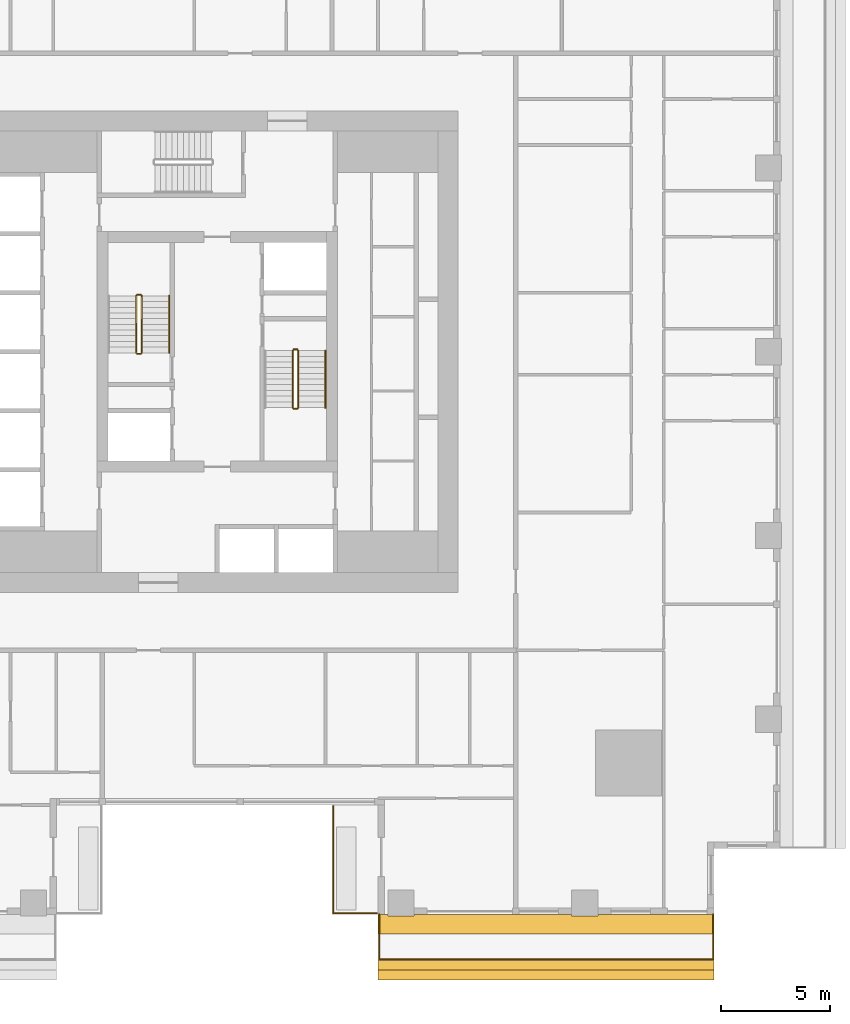
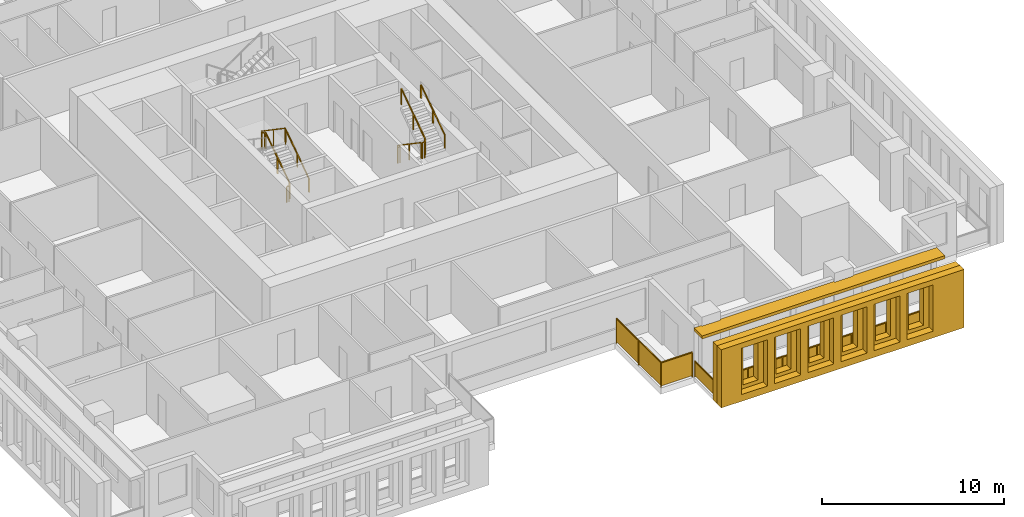
# One storey, part 12 of 15: 12 railings, 3 shading devices.
"""IFC4 building model written with IfcOpenShell, lengths in metres."""

from ifc_helpers import new_model, si_unit, direction, frame, origin, origin_2d, place, context, subcontext, project, spatial, polyline, rectangle, outline, extrude, material, layer, layer_set, type_object, element, save


model = new_model("IFC4")

# Units and contexts
model_context = context("Model", 3, precision=1e-05, world=origin(), true_north=direction((0.0, 1.0)))
body_context = subcontext(model_context, "Body", "Model", "MODEL_VIEW")
ifc_project = project(units=[si_unit("LENGTHUNIT", "METRE"), si_unit("AREAUNIT", "SQUARE_METRE"), si_unit("VOLUMEUNIT", "CUBIC_METRE"), si_unit("PLANEANGLEUNIT", "RADIAN"), si_unit("MASSUNIT", "GRAM", prefix="KILO")], contexts=[model_context])

# Site, building, storey
site_placement = place(None, origin())
site = spatial("IfcSite", under=ifc_project, at=site_placement, CompositionType="ELEMENT")
building_placement = place(site_placement, origin())
building = spatial("IfcBuilding", under=site, at=building_placement, Name="Khepri Terraces", CompositionType="ELEMENT")
storey_placement = place(building_placement, frame((0.0, 0.0, 42.60009765625)))
storey = spatial("IfcBuildingStorey", under=building, at=storey_placement, Name="L09", CompositionType="ELEMENT", Elevation=42.60009765625)

# Railings
ifc_material_1 = material(Name="Stainless steel grade 316", Category="steel")
railing_type_1 = type_object("IfcRailingType", Name="GRD-BAL-1100", PredefinedType="GUARDRAIL", material=ifc_material_1)
railing_1_placement = place(storey_placement, frame((7.39990234375, -25.719970703125, 0.0)))
element("IfcRailing", 1, at=railing_1_placement, inside=storey, type_object=railing_type_1, Name="Balcony guard L09 S", PredefinedType="GUARDRAIL", context=body_context, shape_type="SweptSolid", body=[
    extrude(rectangle(XDim=0.050048828125, YDim=0.06005859375, at=origin_2d()), frame((0.0, 0.0, 1.070068359375), z_axis=(0.0, -1.0, 0.0), x_axis=(1.0, 0.0, 0.0)), (0.0, 0.0, 1.0), 2.050048828125),
    extrude(rectangle(XDim=2.0, YDim=0.011962890625, at=origin_2d()), frame((0.0, -1.02490234375, 0.10009765625), z_axis=(0.0, 0.0, 1.0), x_axis=(0.0, -1.0, 0.0)), (0.0, 0.0, 1.0), 0.93994140625),
    extrude(rectangle(XDim=0.050048828125, YDim=0.06005859375, at=origin_2d()), frame((0.0, -2.050048828125, 1.070068359375), z_axis=(1.0, 0.0, 0.0), x_axis=(0.0, 1.0, 0.0)), (0.0, 0.0, 1.0), 15.27001953125),
    extrude(rectangle(XDim=2.13134765625, YDim=0.011962890625, at=origin_2d()), frame((1.0908203125, -2.050048828125, 0.10009765625), z_axis=(0.0, 0.0, 1.0), x_axis=(1.0, 0.0, 0.0)), (0.0, 0.0, 1.0), 0.93994140625),
    extrude(rectangle(XDim=2.13134765625, YDim=0.011962890625, at=origin_2d()), frame((3.272216796875, -2.050048828125, 0.10009765625), z_axis=(0.0, 0.0, 1.0), x_axis=(1.0, 0.0, 0.0)), (0.0, 0.0, 1.0), 0.93994140625),
    extrude(rectangle(XDim=2.13134765625, YDim=0.011962890625, at=origin_2d()), frame((5.45361328125, -2.050048828125, 0.10009765625), z_axis=(0.0, 0.0, 1.0), x_axis=(1.0, 0.0, 0.0)), (0.0, 0.0, 1.0), 0.93994140625),
    extrude(rectangle(XDim=2.13134765625, YDim=0.011962890625, at=origin_2d()), frame((7.635009765625, -2.050048828125, 0.10009765625), z_axis=(0.0, 0.0, 1.0), x_axis=(1.0, 0.0, 0.0)), (0.0, 0.0, 1.0), 0.93994140625),
    extrude(rectangle(XDim=2.13134765625, YDim=0.011962890625, at=origin_2d()), frame((9.81640625, -2.050048828125, 0.10009765625), z_axis=(0.0, 0.0, 1.0), x_axis=(1.0, 0.0, 0.0)), (0.0, 0.0, 1.0), 0.93994140625),
    extrude(rectangle(XDim=2.13134765625, YDim=0.011962890625, at=origin_2d()), frame((11.997802734375, -2.050048828125, 0.10009765625), z_axis=(0.0, 0.0, 1.0), x_axis=(1.0, 0.0, 0.0)), (0.0, 0.0, 1.0), 0.93994140625),
    extrude(rectangle(XDim=2.13134765625, YDim=0.011962890625, at=origin_2d()), frame((14.17919921875, -2.050048828125, 0.10009765625), z_axis=(0.0, 0.0, 1.0), x_axis=(1.0, 0.0, 0.0)), (0.0, 0.0, 1.0), 0.93994140625),
    extrude(rectangle(XDim=0.050048828125, YDim=0.06005859375, at=origin_2d()), frame((15.27001953125, -2.050048828125, 1.070068359375), z_axis=(0.0, 1.0, 0.0), x_axis=(-1.0, 0.0, 0.0)), (0.0, 0.0, 1.0), 2.050048828125),
    extrude(rectangle(XDim=2.0, YDim=0.011962890625, at=origin_2d()), frame((15.27001953125, -1.02490234375, 0.10009765625), z_axis=(0.0, 0.0, 1.0), x_axis=(0.0, 1.0, 0.0)), (0.0, 0.0, 1.0), 0.93994140625),
    extrude(rectangle(XDim=0.050048828125, YDim=0.050048828125, at=origin_2d()), origin(), (0.0, 0.0, 1.0), 1.0400390625),
    extrude(rectangle(XDim=0.050048828125, YDim=0.050048828125, at=origin_2d()), frame((0.0, -2.050048828125, 0.0)), (0.0, 0.0, 1.0), 1.0400390625),
    extrude(rectangle(XDim=0.050048828125, YDim=0.050048828125, at=origin_2d()), frame((2.181396484375, -2.050048828125, 0.0)), (0.0, 0.0, 1.0), 1.0400390625),
    extrude(rectangle(XDim=0.050048828125, YDim=0.050048828125, at=origin_2d()), frame((4.36279296875, -2.050048828125, 0.0)), (0.0, 0.0, 1.0), 1.0400390625),
    extrude(rectangle(XDim=0.050048828125, YDim=0.050048828125, at=origin_2d()), frame((6.544189453125, -2.050048828125, 0.0)), (0.0, 0.0, 1.0), 1.0400390625),
    extrude(rectangle(XDim=0.050048828125, YDim=0.050048828125, at=origin_2d()), frame((8.725830078125, -2.050048828125, 0.0)), (0.0, 0.0, 1.0), 1.0400390625),
    extrude(rectangle(XDim=0.050048828125, YDim=0.050048828125, at=origin_2d()), frame((10.9072265625, -2.050048828125, 0.0)), (0.0, 0.0, 1.0), 1.0400390625),
    extrude(rectangle(XDim=0.050048828125, YDim=0.050048828125, at=origin_2d()), frame((13.088623046875, -2.050048828125, 0.0)), (0.0, 0.0, 1.0), 1.0400390625),
    extrude(rectangle(XDim=0.050048828125, YDim=0.050048828125, at=origin_2d()), frame((15.27001953125, -2.050048828125, 0.0)), (0.0, 0.0, 1.0), 1.0400390625),
    extrude(rectangle(XDim=0.050048828125, YDim=0.050048828125, at=origin_2d()), frame((15.27001953125, 0.0, 0.0)), (0.0, 0.0, 1.0), 1.0400390625),
])
railing_type_2 = type_object("IfcRailingType", Name="GRD-TERR-1700", PredefinedType="GUARDRAIL", material=ifc_material_1)
railing_2_placement = place(storey_placement, frame((7.280029296875, -25.669921875, 0.0)))
element("IfcRailing", 2, at=railing_2_placement, inside=storey, type_object=railing_type_2, Name="Terrace guard L09", PredefinedType="GUARDRAIL", context=body_context, shape_type="SweptSolid", body=[
    extrude(rectangle(XDim=0.050048828125, YDim=0.06005859375, at=origin_2d()), frame((0.0, 0.0, 1.669921875), z_axis=(-1.0, 0.0, 0.0), x_axis=(0.0, -1.0, 0.0)), (0.0, 0.0, 1.0), 1.97998046875),
    extrude(rectangle(XDim=1.929931640625, YDim=0.011962890625, at=origin_2d()), frame((-0.989990234375, 0.0, 0.10009765625), z_axis=(0.0, 0.0, 1.0), x_axis=(-1.0, 0.0, 0.0)), (0.0, 0.0, 1.0), 1.539794921875),
    extrude(rectangle(XDim=0.050048828125, YDim=0.06005859375, at=origin_2d()), frame((-1.97998046875, 0.0, 1.669921875), z_axis=(0.0, 1.0, 0.0), x_axis=(-1.0, 0.0, 0.0)), (0.0, 0.0, 1.0), 4.8798828125),
    extrude(rectangle(XDim=2.389892578125, YDim=0.011962890625, at=origin_2d()), frame((-1.97998046875, 1.219970703125, 0.10009765625), z_axis=(0.0, 0.0, 1.0), x_axis=(0.0, 1.0, 0.0)), (0.0, 0.0, 1.0), 1.539794921875),
    extrude(rectangle(XDim=2.389892578125, YDim=0.011962890625, at=origin_2d()), frame((-1.97998046875, 3.659912109375, 0.10009765625), z_axis=(0.0, 0.0, 1.0), x_axis=(0.0, 1.0, 0.0)), (0.0, 0.0, 1.0), 1.539794921875),
    extrude(rectangle(XDim=0.050048828125, YDim=0.050048828125, at=origin_2d()), origin(), (0.0, 0.0, 1.0), 1.639892578125),
    extrude(rectangle(XDim=0.050048828125, YDim=0.050048828125, at=origin_2d()), frame((-1.97998046875, 0.0, 0.0)), (0.0, 0.0, 1.0), 1.639892578125),
    extrude(rectangle(XDim=0.050048828125, YDim=0.050048828125, at=origin_2d()), frame((-1.97998046875, 2.43994140625, 0.0)), (0.0, 0.0, 1.0), 1.639892578125),
    extrude(rectangle(XDim=0.050048828125, YDim=0.050048828125, at=origin_2d()), frame((-1.97998046875, 4.8798828125, 0.0)), (0.0, 0.0, 1.0), 1.639892578125),
])
ifc_material_2 = material(Name="Stainless steel 316", Category="steel")
railing_type_3 = type_object("IfcRailingType", Name="RL-CORE-GUARD", PredefinedType="GUARDRAIL", material=ifc_material_2)
railing_3_placement = place(storey_placement, frame((-3.449951171875, -0.050048828125, 0.17724609375)))
element("IfcRailing", 3, at=railing_3_placement, inside=storey, type_object=railing_type_3, Name="L09 ST-1 stair guard 1", PredefinedType="GUARDRAIL", context=body_context, shape_type="SweptSolid", body=[
    extrude(rectangle(XDim=0.050048828125, YDim=0.06005859375, at=origin_2d()), frame((0.0, 0.0, 1.070068359375), z_axis=(0.0, 0.826240473404, 0.563317565952), x_axis=(-1.0, 0.0, 0.0)), (0.0, 0.0, 1.0), 3.14697265625),
    extrude(rectangle(XDim=0.050048828125, YDim=0.050048828125, at=origin_2d()), origin(), (0.0, 0.0, 1.0), 1.0400390625),
    extrude(rectangle(XDim=0.050048828125, YDim=0.050048828125, at=origin_2d()), frame((0.0, 1.300048828125, 0.88623046875)), (0.0, 0.0, 1.0), 1.0400390625),
    extrude(rectangle(XDim=0.050048828125, YDim=0.050048828125, at=origin_2d()), frame((0.0, 2.60009765625, 1.772705078125)), (0.0, 0.0, 1.0), 1.0400390625),
])
railing_4_placement = place(storey_placement, frame((-3.5, 2.60009765625, 1.949951171875)))
element("IfcRailing", 4, at=railing_4_placement, inside=storey, type_object=railing_type_3, Name="L09 ST-1 stair guard 2", PredefinedType="GUARDRAIL", context=body_context, shape_type="SweptSolid", body=[
    extrude(rectangle(XDim=0.050048828125, YDim=0.06005859375, at=origin_2d()), frame((0.0, 0.0, 1.070068359375), z_axis=(-1.0, 0.0, 0.0), x_axis=(0.0, -1.0, 0.0)), (0.0, 0.0, 1.0), 0.14990234375),
    extrude(rectangle(XDim=0.050048828125, YDim=0.050048828125, at=origin_2d()), origin(), (0.0, 0.0, 1.0), 1.0400390625),
    extrude(rectangle(XDim=0.050048828125, YDim=0.050048828125, at=origin_2d()), frame((-0.14990234375, 0.0, 0.0)), (0.0, 0.0, 1.0), 1.0400390625),
])
railing_5_placement = place(storey_placement, frame((-3.699951171875, 2.550048828125, 2.127197265625)))
element("IfcRailing", 5, at=railing_5_placement, inside=storey, type_object=railing_type_3, Name="L09 ST-1 stair guard 3", PredefinedType="GUARDRAIL", context=body_context, shape_type="SweptSolid", body=[
    extrude(rectangle(XDim=0.050048828125, YDim=0.06005859375, at=origin_2d()), frame((0.0, 0.0, 1.070068359375), z_axis=(0.0, -0.826240473404, 0.563317565952), x_axis=(1.0, 0.0, 0.0)), (0.0, 0.0, 1.0), 3.14697265625),
    extrude(rectangle(XDim=0.050048828125, YDim=0.050048828125, at=origin_2d()), origin(), (0.0, 0.0, 1.0), 1.0400390625),
    extrude(rectangle(XDim=0.050048828125, YDim=0.050048828125, at=origin_2d()), frame((0.0, -1.300048828125, 0.88623046875)), (0.0, 0.0, 1.0), 1.0400390625),
    extrude(rectangle(XDim=0.050048828125, YDim=0.050048828125, at=origin_2d()), frame((0.0, -2.60009765625, 1.772705078125)), (0.0, 0.0, 1.0), 1.0400390625),
])
railing_6_placement = place(storey_placement, frame((-3.5, -0.10009765625, 0.0)))
element("IfcRailing", 6, at=railing_6_placement, inside=storey, type_object=railing_type_3, Name="L09 ST-1 stair guard 4", PredefinedType="GUARDRAIL", context=body_context, shape_type="SweptSolid", body=[
    extrude(rectangle(XDim=0.050048828125, YDim=0.06005859375, at=origin_2d()), frame((0.0, 0.0, 1.070068359375), z_axis=(-1.0, 0.0, 0.0), x_axis=(0.0, -1.0, 0.0)), (0.0, 0.0, 1.0), 0.14990234375),
    extrude(rectangle(XDim=0.050048828125, YDim=0.050048828125, at=origin_2d()), origin(), (0.0, 0.0, 1.0), 1.0400390625),
    extrude(rectangle(XDim=0.050048828125, YDim=0.050048828125, at=origin_2d()), frame((-0.14990234375, 0.0, 0.0)), (0.0, 0.0, 1.0), 1.0400390625),
])
railing_7_placement = place(storey_placement, frame((3.449951171875, 0.050048828125, 0.17724609375)))
element("IfcRailing", 7, at=railing_7_placement, inside=storey, type_object=railing_type_3, Name="L09 ST-2 stair guard 1", PredefinedType="GUARDRAIL", context=body_context, shape_type="SweptSolid", body=[
    extrude(rectangle(XDim=0.050048828125, YDim=0.06005859375, at=origin_2d()), frame((0.0, 0.0, 1.070068359375), z_axis=(0.0, -0.826240473404, 0.563317565952), x_axis=(1.0, 0.0, 0.0)), (0.0, 0.0, 1.0), 3.14697265625),
    extrude(rectangle(XDim=0.050048828125, YDim=0.050048828125, at=origin_2d()), origin(), (0.0, 0.0, 1.0), 1.0400390625),
    extrude(rectangle(XDim=0.050048828125, YDim=0.050048828125, at=origin_2d()), frame((0.0, -1.300048828125, 0.88623046875)), (0.0, 0.0, 1.0), 1.0400390625),
    extrude(rectangle(XDim=0.050048828125, YDim=0.050048828125, at=origin_2d()), frame((0.0, -2.60009765625, 1.772705078125)), (0.0, 0.0, 1.0), 1.0400390625),
])
railing_8_placement = place(storey_placement, frame((3.5, -2.60009765625, 1.949951171875)))
element("IfcRailing", 8, at=railing_8_placement, inside=storey, type_object=railing_type_3, Name="L09 ST-2 stair guard 2", PredefinedType="GUARDRAIL", context=body_context, shape_type="SweptSolid", body=[
    extrude(rectangle(XDim=0.050048828125, YDim=0.06005859375, at=origin_2d()), frame((0.0, 0.0, 1.070068359375), z_axis=(1.0, 0.0, 0.0), x_axis=(0.0, 1.0, 0.0)), (0.0, 0.0, 1.0), 0.14990234375),
    extrude(rectangle(XDim=0.050048828125, YDim=0.050048828125, at=origin_2d()), origin(), (0.0, 0.0, 1.0), 1.0400390625),
    extrude(rectangle(XDim=0.050048828125, YDim=0.050048828125, at=origin_2d()), frame((0.14990234375, 0.0, 0.0)), (0.0, 0.0, 1.0), 1.0400390625),
])
railing_9_placement = place(storey_placement, frame((3.699951171875, -2.550048828125, 2.127197265625)))
element("IfcRailing", 9, at=railing_9_placement, inside=storey, type_object=railing_type_3, Name="L09 ST-2 stair guard 3", PredefinedType="GUARDRAIL", context=body_context, shape_type="SweptSolid", body=[
    extrude(rectangle(XDim=0.050048828125, YDim=0.06005859375, at=origin_2d()), frame((0.0, 0.0, 1.070068359375), z_axis=(0.0, 0.826240473404, 0.563317565952), x_axis=(-1.0, 0.0, 0.0)), (0.0, 0.0, 1.0), 3.14697265625),
    extrude(rectangle(XDim=0.050048828125, YDim=0.050048828125, at=origin_2d()), origin(), (0.0, 0.0, 1.0), 1.0400390625),
    extrude(rectangle(XDim=0.050048828125, YDim=0.050048828125, at=origin_2d()), frame((0.0, 1.300048828125, 0.88623046875)), (0.0, 0.0, 1.0), 1.0400390625),
    extrude(rectangle(XDim=0.050048828125, YDim=0.050048828125, at=origin_2d()), frame((0.0, 2.60009765625, 1.772705078125)), (0.0, 0.0, 1.0), 1.0400390625),
])
railing_10_placement = place(storey_placement, frame((3.5, 0.10009765625, 0.0)))
element("IfcRailing", 10, at=railing_10_placement, inside=storey, type_object=railing_type_3, Name="L09 ST-2 stair guard 4", PredefinedType="GUARDRAIL", context=body_context, shape_type="SweptSolid", body=[
    extrude(rectangle(XDim=0.050048828125, YDim=0.06005859375, at=origin_2d()), frame((0.0, 0.0, 1.070068359375), z_axis=(1.0, 0.0, 0.0), x_axis=(0.0, 1.0, 0.0)), (0.0, 0.0, 1.0), 0.14990234375),
    extrude(rectangle(XDim=0.050048828125, YDim=0.050048828125, at=origin_2d()), origin(), (0.0, 0.0, 1.0), 1.0400390625),
    extrude(rectangle(XDim=0.050048828125, YDim=0.050048828125, at=origin_2d()), frame((0.14990234375, 0.0, 0.0)), (0.0, 0.0, 1.0), 1.0400390625),
])
railing_type_4 = type_object("IfcRailingType", Name="RL-CORE-HANDRAIL", PredefinedType="HANDRAIL", material=ifc_material_2)
for number, where, name in (
    (11, (-2.199951171875, -0.050048828125, 0.17724609375), "L09 ST-1 stair handrail 1"),
    (12, (4.949951171875, -2.550048828125, 2.127197265625), "L09 ST-2 stair handrail 2"),
):
    element("IfcRailing", number, at=place(storey_placement, frame(where)), inside=storey, type_object=railing_type_4, Name=name, PredefinedType="HANDRAIL", context=body_context, shape_type="SweptSolid", body=[
        extrude(rectangle(XDim=0.050048828125, YDim=0.050048828125, at=origin_2d()), frame((0.0, 0.0, 0.875), z_axis=(0.0, 0.826240473404, 0.563317565952), x_axis=(-1.0, 0.0, 0.0)), (0.0, 0.0, 1.0), 3.14697265625),
        extrude(rectangle(XDim=0.050048828125, YDim=0.050048828125, at=origin_2d()), origin(), (0.0, 0.0, 1.0), 0.849853515625),
        extrude(rectangle(XDim=0.050048828125, YDim=0.050048828125, at=origin_2d()), frame((0.0, 1.300048828125, 0.88623046875)), (0.0, 0.0, 1.0), 0.849853515625),
        extrude(rectangle(XDim=0.050048828125, YDim=0.050048828125, at=origin_2d()), frame((0.0, 2.60009765625, 1.772705078125)), (0.0, 0.0, 1.0), 0.849853515625),
    ])

# Shading devices
ifc_material_3 = material(Name="Precast concrete C50/60 warm stone", Category="masonry")
shading_device_type_1 = type_object("IfcShadingDeviceType", Name="SCR-CELL-INNER-450", PredefinedType="USERDEFINED", material=ifc_material_3)
shading_device_1_placement = place(storey_placement, frame((7.35009765625, -27.820068359375, -0.25), z_axis=(0.0, -1.0, 0.0), x_axis=(1.0, 0.0, 0.0)))
element("IfcShadingDevice", 13, at=shading_device_1_placement, inside=storey, type_object=shading_device_type_1, Name="Cell screen L09 S in", ObjectType="SCREEN", PredefinedType="USERDEFINED", context=body_context, shape_type="SweptSolid", body=[
    extrude(outline(polyline([(0.0, 0.0), (15.3701171875, 0.0), (15.3701171875, 3.89990234375), (0.0, 3.89990234375), (0.0, 0.0)]), holes=[polyline([(1.62744140625, 0.699951171875), (2.572509765625, 0.699951171875), (2.572509765625, 3.300048828125), (1.62744140625, 3.300048828125), (1.62744140625, 0.699951171875)]), polyline([(3.7275390625, 0.699951171875), (4.672607421875, 0.699951171875), (4.672607421875, 3.300048828125), (3.7275390625, 3.300048828125), (3.7275390625, 0.699951171875)]), polyline([(5.827392578125, 0.699951171875), (6.7724609375, 0.699951171875), (6.7724609375, 3.300048828125), (5.827392578125, 3.300048828125), (5.827392578125, 0.699951171875)]), polyline([(7.927490234375, 0.699951171875), (8.87255859375, 0.699951171875), (8.87255859375, 3.300048828125), (7.927490234375, 3.300048828125), (7.927490234375, 0.699951171875)]), polyline([(10.027587890625, 0.699951171875), (10.972412109375, 0.699951171875), (10.972412109375, 3.300048828125), (10.027587890625, 3.300048828125), (10.027587890625, 0.699951171875)]), polyline([(12.12744140625, 0.699951171875), (13.072509765625, 0.699951171875), (13.072509765625, 3.300048828125), (12.12744140625, 3.300048828125), (12.12744140625, 0.699951171875)]), polyline([(14.2275390625, 0.699951171875), (15.172607421875, 0.699951171875), (15.172607421875, 3.300048828125), (14.2275390625, 3.300048828125), (14.2275390625, 0.699951171875)])]), origin(), (0.0, 0.0, 1.0), 0.449951171875),
])
shading_device_type_2 = type_object("IfcShadingDeviceType", Name="SCR-CELL-OUTER-450", PredefinedType="USERDEFINED", material=ifc_material_3)
shading_device_2_placement = place(storey_placement, frame((7.35009765625, -28.27001953125, -0.25), z_axis=(0.0, -1.0, 0.0), x_axis=(1.0, 0.0, 0.0)))
element("IfcShadingDevice", 14, at=shading_device_2_placement, inside=storey, type_object=shading_device_type_2, Name="Cell screen L09 S out", ObjectType="SCREEN", PredefinedType="USERDEFINED", context=body_context, shape_type="SweptSolid", body=[
    extrude(outline(polyline([(0.0, 0.0), (15.3701171875, 0.0), (15.3701171875, 3.89990234375), (0.0, 3.89990234375), (0.0, 0.0)]), holes=[polyline([(1.277587890625, 0.449951171875), (2.922607421875, 0.449951171875), (2.922607421875, 3.550048828125), (1.277587890625, 3.550048828125), (1.277587890625, 0.449951171875)]), polyline([(3.37744140625, 0.449951171875), (5.0224609375, 0.449951171875), (5.0224609375, 3.550048828125), (3.37744140625, 3.550048828125), (3.37744140625, 0.449951171875)]), polyline([(5.4775390625, 0.449951171875), (7.12255859375, 0.449951171875), (7.12255859375, 3.550048828125), (5.4775390625, 3.550048828125), (5.4775390625, 0.449951171875)]), polyline([(7.577392578125, 0.449951171875), (9.222412109375, 0.449951171875), (9.222412109375, 3.550048828125), (7.577392578125, 3.550048828125), (7.577392578125, 0.449951171875)]), polyline([(9.677490234375, 0.449951171875), (11.322509765625, 0.449951171875), (11.322509765625, 3.550048828125), (9.677490234375, 3.550048828125), (9.677490234375, 0.449951171875)]), polyline([(11.777587890625, 0.449951171875), (13.422607421875, 0.449951171875), (13.422607421875, 3.550048828125), (11.777587890625, 3.550048828125), (11.777587890625, 0.449951171875)])]), origin(), (0.0, 0.0, 1.0), 0.449951171875),
])
ifc_layer = layer(ifc_material_3, 0.199951171875, Name="Precast concrete C50/60 warm stone", Category="masonry")
ifc_layer_set = layer_set([ifc_layer], Name="Precast concrete C50/60 warm stone")
shading_device_type_3 = type_object("IfcShadingDeviceType", Name="SSH-BAND-STONE-200", PredefinedType="USERDEFINED", material=ifc_layer_set)
shading_device_3_placement = place(storey_placement, frame((0.0, 0.0, 3.099853515625)))
element("IfcShadingDevice", 15, at=shading_device_3_placement, inside=storey, type_object=shading_device_type_3, Name="Sunshade band L09 S", ObjectType="SUNSHADE", PredefinedType="USERDEFINED", context=body_context, shape_type="SweptSolid", body=[
    extrude(outline(polyline([(7.800048828125, -25.719970703125), (7.35009765625, -25.719970703125), (7.35009765625, -26.6201171875), (22.719970703125, -26.6201171875), (22.719970703125, -25.719970703125), (17.39990234375, -25.719970703125), (17.39990234375, -25.800048828125), (16.199951171875, -25.800048828125), (16.199951171875, -25.719970703125), (9.0, -25.719970703125), (9.0, -25.800048828125), (7.800048828125, -25.800048828125), (7.800048828125, -25.719970703125)])), origin(), (0.0, 0.0, 1.0), 0.199951171875),
])

save(model, "model.ifc")
